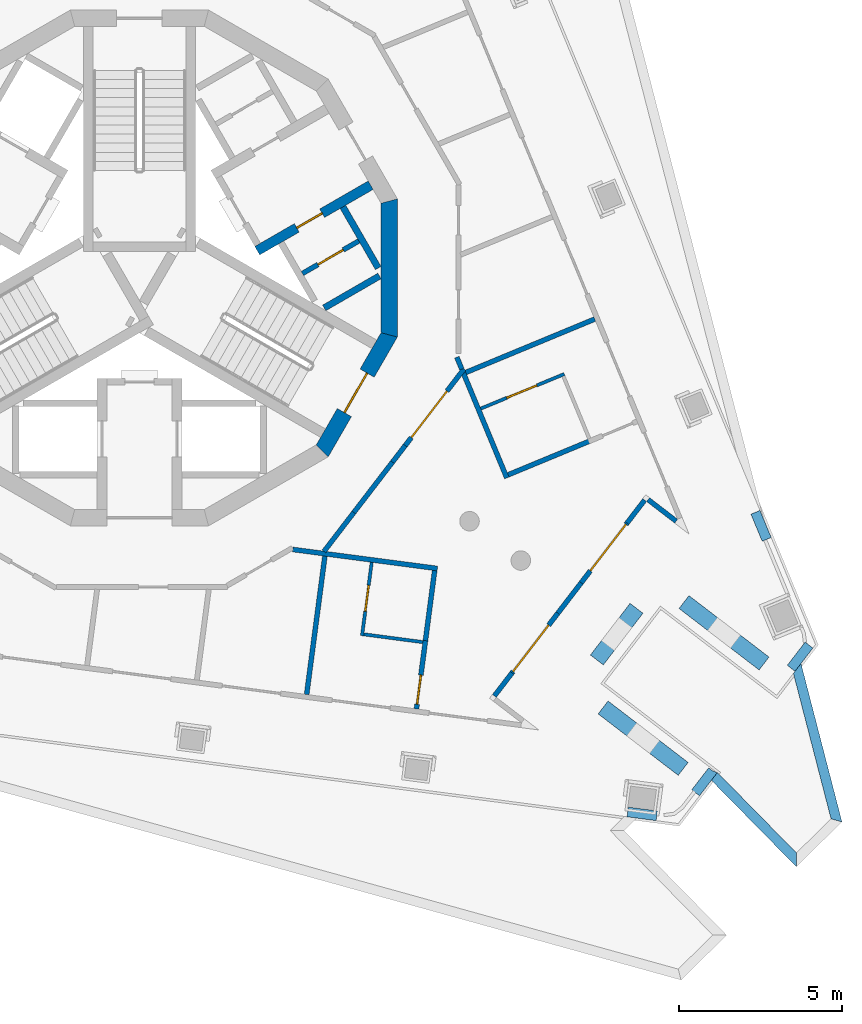
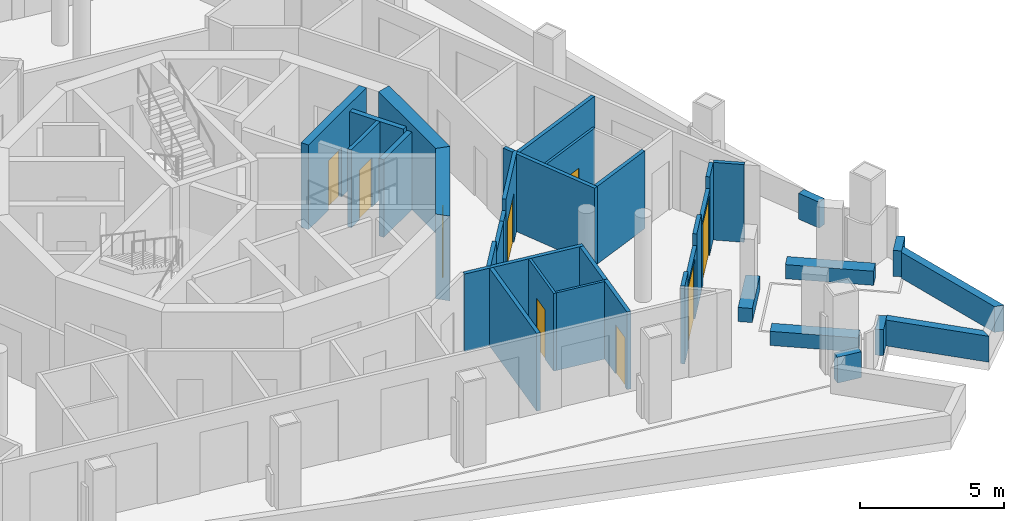
# One storey, part 5 of 12: 36 walls, 9 doors, 9 openings.
"""IFC4 building model written with IfcOpenShell, lengths in metres."""

from ifc_helpers import new_model, si_unit, direction, frame, frame_2d, origin, place, context, subcontext, project, spatial, polyline, rectangle, outline, extrude, material, layer, layer_set, type_object, element, fill, save


model = new_model("IFC4")

# Units and contexts
model_context = context("Model", 3, precision=1e-05, world=origin(), true_north=direction((0.0, 1.0)))
body_context = subcontext(model_context, "Body", "Model", "MODEL_VIEW")
ifc_project = project(units=[si_unit("LENGTHUNIT", "METRE"), si_unit("AREAUNIT", "SQUARE_METRE"), si_unit("VOLUMEUNIT", "CUBIC_METRE"), si_unit("PLANEANGLEUNIT", "RADIAN"), si_unit("MASSUNIT", "GRAM", prefix="KILO")], contexts=[model_context])

# Site, building, storey
site_placement = place(None, origin())
site = spatial("IfcSite", under=ifc_project, at=site_placement, CompositionType="ELEMENT")
building_placement = place(site_placement, origin())
building = spatial("IfcBuilding", under=site, at=building_placement, Name="Trine Commons Tower", CompositionType="ELEMENT")
storey_placement = place(building_placement, frame((0.0, 0.0, 271.800048828125)))
storey = spatial("IfcBuildingStorey", under=building, at=storey_placement, Name="L71", CompositionType="ELEMENT", Elevation=271.800048828125)

# Wall, opening, door
ifc_material_1 = material(Name="Plasterboard partition on steel studs", Category="steel")
ifc_layer_1 = layer(ifc_material_1, 0.14990234375)
ifc_layer_set_1 = layer_set([ifc_layer_1], Name="Plasterboard partition on steel studs")
wall_type_1 = type_object("IfcWallType", Name="Core room partition 150 mm, EI 60", PredefinedType="PARTITIONING", material=ifc_layer_set_1)
wall_1_placement = place(storey_placement, frame((85.006103515625, 62.330078125, 0.0), z_axis=(0.0, 0.0, 1.0), x_axis=(0.866010750942, 0.50002537861, 0.0)))
wall_1 = element("IfcWall", 1, at=wall_1_placement, inside=storey, type_object=wall_type_1, Name="Core room partition L71", PredefinedType="PARTITIONING", context=body_context, shape_type="SweptSolid", body=[
    extrude(rectangle(XDim=2.0, YDim=0.14990234375, at=frame_2d((1.0, 0.0))), origin(), (0.0, 0.0, 1.0), 3.300048828125),
])
opening_1_placement = place(wall_1_placement, frame((0.549560546875, 0.0, 0.0)))
opening_1 = element("IfcOpeningElement", 2, at=opening_1_placement, cuts=wall_1, Name="Opening K19.13", PredefinedType="OPENING", context=body_context, shape_type="SweptSolid", body=[
    extrude(rectangle(XDim=0.89990234375, YDim=2.10009765625, at=frame_2d((0.449951171875, 1.050048828125))), frame((0.0, 0.0849609375, 0.0), z_axis=(0.0, -1.0, 0.0), x_axis=(1.0, 0.0, 0.0)), (0.0, 0.0, 1.0), 0.169921875),
])
ifc_material_2 = material(Name="Steel door leaf, fire-rated", Category="steel")
door_type_1 = type_object("IfcDoorType", Name="Core room door, single leaf 900 x 2100, FD30S", OperationType="SINGLE_SWING_LEFT", PredefinedType="DOOR", material=ifc_material_2)
door_1_placement = place(opening_1_placement, frame((0.89990234375, 0.0, 0.0), z_axis=(0.0, 0.0, 1.0), x_axis=(-1.0, 0.0, 0.0)))
door_1 = element("IfcDoor", 3, at=door_1_placement, inside=storey, type_object=door_type_1, Name="Door to Print room L71", OperationType="SINGLE_SWING_LEFT", OverallHeight=2.10009765625, OverallWidth=0.89990234375, PredefinedType="DOOR", context=body_context, shape_type="SweptSolid", body=[
    extrude(rectangle(XDim=0.89990234375, YDim=2.10009765625, at=frame_2d((0.449951171875, 1.050048828125))), frame((0.0, 0.02490234375, 0.0), z_axis=(0.0, -1.0, 0.0), x_axis=(1.0, 0.0, 0.0)), (0.0, 0.0, 1.0), 0.050048828125),
])
fill(opening_1, door_1)

# Walls
ifc_material_3 = material(Name="Aluminium-framed insulated wall panel", Category="aluminium")
ifc_layer_2 = layer(ifc_material_3, 0.14990234375)
ifc_layer_set_2 = layer_set([ifc_layer_2], Name="Aluminium-framed insulated wall panel")
wall_type_2 = type_object("IfcWallType", Name="Glazed frame wall 150, EI 60", PredefinedType="SOLIDWALL", material=ifc_layer_set_2)
wall_2_placement = place(storey_placement, frame((96.600830078125, 54.633544921875, 0.0), z_axis=(0.0, 0.0, 1.0), x_axis=(-0.793352136239, 0.608762998157, 0.0)))
element("IfcWall", 4, at=wall_2_placement, inside=storey, type_object=wall_type_2, Name="Glazed frame wall R6", PredefinedType="SOLIDWALL", context=body_context, shape_type="SweptSolid", body=[
    extrude(outline(polyline([(0.1494140625, 0.074951171875), (0.1494140625, -0.074951171875), (1.235107421875, -0.074951171875), (1.235107421875, 0.074951171875), (0.1494140625, 0.074951171875)])), origin(), (0.0, 0.0, 1.0), 3.300048828125),
])
wall_3_placement = place(storey_placement, frame((95.582763671875, 55.458740234375, 0.0), z_axis=(0.0, 0.0, 1.0), x_axis=(-0.60863653794, -0.793449156962, 0.0)))
element("IfcWall", 5, at=wall_3_placement, inside=storey, type_object=wall_type_2, Name="Glazed frame wall P2.1", PredefinedType="SOLIDWALL", context=body_context, shape_type="SweptSolid", body=[
    extrude(outline(polyline([(0.110107421875, -0.074951171875), (1.0, -0.074951171875), (1.0, 0.074951171875), (0.110107421875, 0.074951171875), (0.110107421875, -0.074951171875)])), origin(), (0.0, 0.0, 1.0), 3.300048828125),
])

# Wall, opening, door
wall_4_placement = place(storey_placement, frame((94.97412109375, 54.665283203125, 0.0), z_axis=(0.0, 0.0, 1.0), x_axis=(-0.608821878019, -0.793306952475, 0.0)))
wall_4 = element("IfcWall", 6, at=wall_4_placement, inside=storey, type_object=wall_type_2, Name="Glazed frame wall P2.2", PredefinedType="SOLIDWALL", context=body_context, shape_type="SweptSolid", body=[
    extrude(outline(polyline([(0.0, -0.074951171875), (2.310791015625, -0.074951171875), (2.310791015625, 0.074951171875), (0.0, 0.074951171875), (0.0, -0.074951171875)])), origin(), (0.0, 0.0, 1.0), 2.800048828125),
])
opening_2_placement = place(wall_4_placement, frame((0.050048828125, 0.0, 0.0)))
opening_2 = element("IfcOpeningElement", 7, at=opening_2_placement, cuts=wall_4, Name="Opening BD-8P2-01", PredefinedType="OPENING", context=body_context, shape_type="SweptSolid", body=[
    extrude(rectangle(XDim=1.800048828125, YDim=2.60009765625, at=frame_2d((0.89990234375, 1.300048828125))), frame((0.0, 0.0849609375, 0.0), z_axis=(0.0, -1.0, 0.0), x_axis=(1.0, 0.0, 0.0)), (0.0, 0.0, 1.0), 0.169921875),
])
ifc_material_4 = material(Name="Anodised aluminium frame with double glazing", Category="aluminium")
door_type_2 = type_object("IfcDoorType", Name="Sliding loggia door 1800x2600", OperationType="SLIDING_TO_LEFT", PredefinedType="DOOR", material=ifc_material_4)
door_2_placement = place(opening_2_placement, origin())
door_2 = element("IfcDoor", 8, at=door_2_placement, inside=storey, type_object=door_type_2, Name="Loggia door P2 1", OperationType="SLIDING_TO_LEFT", OverallHeight=2.60009765625, OverallWidth=1.800048828125, PredefinedType="DOOR", context=body_context, shape_type="SweptSolid", body=[
    extrude(rectangle(XDim=1.800048828125, YDim=2.60009765625, at=frame_2d((0.89990234375, 1.300048828125))), frame((0.0, 0.02490234375, 0.0), z_axis=(0.0, -1.0, 0.0), x_axis=(1.0, 0.0, 0.0)), (0.0, 0.0, 1.0), 0.050048828125),
])
fill(opening_2, door_2)

# Wall
wall_5_placement = place(storey_placement, frame((93.5673828125, 52.832275390625, 0.0), z_axis=(0.0, 0.0, 1.0), x_axis=(-0.608779373124, -0.793339570965, 0.0)))
element("IfcWall", 9, at=wall_5_placement, inside=storey, type_object=wall_type_2, Name="Glazed frame wall P2.3", PredefinedType="SOLIDWALL", context=body_context, shape_type="SweptSolid", body=[
    extrude(outline(polyline([(0.0, -0.074951171875), (1.1787109375, -0.074951171875), (1.1787109375, 0.074951171875), (0.0, 0.074951171875), (0.0, -0.074951171875)])), origin(), (0.0, 0.0, 1.0), 3.300048828125),
])

# Wall, opening, door
wall_6_placement = place(storey_placement, frame((92.849853515625, 51.897216796875, 0.0), z_axis=(0.0, 0.0, 1.0), x_axis=(-0.608770848341, -0.793346112494, 0.0)))
wall_6 = element("IfcWall", 10, at=wall_6_placement, inside=storey, type_object=wall_type_2, Name="Glazed frame wall P2.4", PredefinedType="SOLIDWALL", context=body_context, shape_type="SweptSolid", body=[
    extrude(outline(polyline([(0.0, -0.074951171875), (2.310791015625, -0.074951171875), (2.310791015625, 0.074951171875), (0.0, 0.074951171875), (0.0, -0.074951171875)])), origin(), (0.0, 0.0, 1.0), 2.800048828125),
])
opening_3_placement = place(wall_6_placement, frame((0.460693359375, 0.0, 0.0)))
opening_3 = element("IfcOpeningElement", 11, at=opening_3_placement, cuts=wall_6, Name="Opening BD-8P2-02", PredefinedType="OPENING", context=body_context, shape_type="SweptSolid", body=[
    extrude(rectangle(XDim=1.800048828125, YDim=2.60009765625, at=frame_2d((0.89990234375, 1.300048828125))), frame((0.0, 0.0849609375, 0.0), z_axis=(0.0, -1.0, 0.0), x_axis=(1.0, 0.0, 0.0)), (0.0, 0.0, 1.0), 0.169921875),
])
door_3_placement = place(opening_3_placement, origin())
door_3 = element("IfcDoor", 12, at=door_3_placement, inside=storey, type_object=door_type_2, Name="Loggia door P2 2", OperationType="SLIDING_TO_LEFT", OverallHeight=2.60009765625, OverallWidth=1.800048828125, PredefinedType="DOOR", context=body_context, shape_type="SweptSolid", body=[
    extrude(rectangle(XDim=1.800048828125, YDim=2.60009765625, at=frame_2d((0.89990234375, 1.300048828125))), frame((0.0, 0.02490234375, 0.0), z_axis=(0.0, -1.0, 0.0), x_axis=(1.0, 0.0, 0.0)), (0.0, 0.0, 1.0), 0.050048828125),
])
fill(opening_3, door_3)

# Walls
wall_7_placement = place(storey_placement, frame((91.443115234375, 50.06396484375, 0.0), z_axis=(0.0, 0.0, 1.0), x_axis=(-0.60863653794, -0.793449156962, 0.0)))
element("IfcWall", 13, at=wall_7_placement, inside=storey, type_object=wall_type_2, Name="Glazed frame wall P2.5", PredefinedType="SOLIDWALL", context=body_context, shape_type="SweptSolid", body=[
    extrude(outline(polyline([(0.889892578125, 0.074951171875), (0.0, 0.074951171875), (0.0, -0.074951171875), (0.889892578125, -0.074951171875), (0.889892578125, 0.074951171875)])), origin(), (0.0, 0.0, 1.0), 3.300048828125),
])
ifc_material_5 = material(Name="Planter trough, precast concrete C40/50", Category="concrete")
ifc_layer_3 = layer(ifc_material_5, 0.5)
ifc_layer_set_3 = layer_set([ifc_layer_3], Name="Planter trough, precast concrete C40/50")
wall_type_3 = type_object("IfcWallType", Name="Planter trough 500x600", PredefinedType="PARAPET", material=ifc_layer_set_3)
wall_8_placement = place(storey_placement, frame((99.182861328125, 50.351806640625, 0.0), z_axis=(0.0, 0.0, 1.0), x_axis=(-0.793355321014, 0.608758847671, 0.0)))
element("IfcWall", 14, at=wall_8_placement, inside=storey, type_object=wall_type_3, Name="Planter 7", PredefinedType="PARAPET", context=body_context, shape_type="SweptSolid", body=[
    extrude(rectangle(XDim=3.10009765625, YDim=0.5, at=frame_2d((1.550048828125, 0.0))), origin(), (0.0, 0.0, 1.0), 0.599853515625),
])
wall_9_placement = place(storey_placement, frame((95.265380859375, 52.047119140625, 0.0), z_axis=(0.0, 0.0, 1.0), x_axis=(-0.608790203715, -0.793331259853, 0.0)))
element("IfcWall", 15, at=wall_9_placement, inside=storey, type_object=wall_type_3, Name="Planter 8", PredefinedType="PARAPET", context=body_context, shape_type="SweptSolid", body=[
    extrude(rectangle(XDim=2.000244140625, YDim=0.5, at=frame_2d((1.0, 0.0))), origin(), (0.0, 0.0, 1.0), 0.599853515625),
])
wall_10_placement = place(storey_placement, frame((94.23974609375, 49.002197265625, 0.0), z_axis=(0.0, 0.0, 1.0), x_axis=(0.793355321014, -0.608758847671, 0.0)))
element("IfcWall", 16, at=wall_10_placement, inside=storey, type_object=wall_type_3, Name="Planter 9", PredefinedType="PARAPET", context=body_context, shape_type="SweptSolid", body=[
    extrude(rectangle(XDim=3.10009765625, YDim=0.5, at=frame_2d((1.550048828125, 0.0))), origin(), (0.0, 0.0, 1.0), 0.599853515625),
])

# Wall, opening, door
ifc_material_6 = material(Name="Concrete C50/60", Category="concrete")
ifc_layer_4 = layer(ifc_material_6, 0.300048828125)
ifc_layer_set_4 = layer_set([ifc_layer_4], Name="Concrete C50/60")
wall_type_4 = type_object("IfcWallType", Name="RC shear wall 300 mm, C50/60", PredefinedType="SHEAR", material=ifc_layer_set_4)
wall_11_placement = place(storey_placement, frame((83.618896484375, 63.031005859375, 0.0), z_axis=(0.0, 0.0, 1.0), x_axis=(0.866071331441, 0.499920442526, 0.0)))
wall_11 = element("IfcWall", 17, at=wall_11_placement, inside=storey, type_object=wall_type_4, Name="Core cross wall SWD-06 L71", PredefinedType="SHEAR", context=body_context, shape_type="SweptSolid", body=[
    extrude(rectangle(XDim=4.020751953125, YDim=0.300048828125, at=frame_2d((2.01025390625, 0.0))), origin(), (0.0, 0.0, 1.0), 3.599853515625),
])
opening_4_placement = place(wall_11_placement, frame((1.400390625, 0.0, 0.0)))
opening_4 = element("IfcOpeningElement", 18, at=opening_4_placement, cuts=wall_11, Name="Opening K19.12", PredefinedType="OPENING", context=body_context, shape_type="SweptSolid", body=[
    extrude(rectangle(XDim=0.89990234375, YDim=2.10009765625, at=frame_2d((0.449951171875, 1.050048828125))), frame((0.0, 0.159912109375, 0.0), z_axis=(0.0, -1.0, 0.0), x_axis=(1.0, 0.0, 0.0)), (0.0, 0.0, 1.0), 0.320068359375),
])
door_4_placement = place(opening_4_placement, frame((0.89990234375, 0.0, 0.0), z_axis=(0.0, 0.0, 1.0), x_axis=(-1.0, 0.0, 0.0)))
door_4 = element("IfcDoor", 19, at=door_4_placement, inside=storey, type_object=door_type_1, Name="Door to Cleaner's store L71", OperationType="SINGLE_SWING_LEFT", OverallHeight=2.10009765625, OverallWidth=0.89990234375, PredefinedType="DOOR", context=body_context, shape_type="SweptSolid", body=[
    extrude(rectangle(XDim=0.89990234375, YDim=2.10009765625, at=frame_2d((0.449951171875, 1.050048828125))), frame((0.0, 0.02490234375, 0.0), z_axis=(0.0, -1.0, 0.0), x_axis=(1.0, 0.0, 0.0)), (0.0, 0.0, 1.0), 0.050048828125),
])
fill(opening_4, door_4)

# Wall
ifc_layer_5 = layer(ifc_material_6, 0.5)
ifc_layer_set_5 = layer_set([ifc_layer_5], Name="Concrete C50/60")
wall_type_5 = type_object("IfcWallType", Name="RC shear wall 500 mm, C50/60", PredefinedType="SHEAR", material=ifc_layer_set_5)
wall_12_placement = place(storey_placement, frame((87.670654296875, 60.377685546875, 0.0), z_axis=(0.0, 0.0, 1.0), x_axis=(0.0, 1.0, 0.0)))
element("IfcWall", 20, at=wall_12_placement, inside=storey, type_object=wall_type_5, Name="Core wall CWH-01 L71", PredefinedType="SHEAR", context=body_context, shape_type="SweptSolid", body=[
    extrude(outline(polyline([(0.0, -0.25), (4.24462890625, -0.25), (4.110595703125, 0.25), (0.134033203125, 0.25), (0.0, -0.25)])), origin(), (0.0, 0.0, 1.0), 3.599853515625),
])

# Wall, opening, door
wall_13_placement = place(storey_placement, frame((85.581787109375, 56.82666015625, 0.0), z_axis=(0.0, 0.0, 1.0), x_axis=(0.499992968425, 0.866029463428, 0.0)))
wall_13 = element("IfcWall", 21, at=wall_13_placement, inside=storey, type_object=wall_type_5, Name="Core wall CWH-12 L71", PredefinedType="SHEAR", context=body_context, shape_type="SweptSolid", body=[
    extrude(outline(polyline([(0.0, -0.25), (4.24462890625, -0.25), (4.110595703125, 0.25), (0.134033203125, 0.25), (0.0, -0.25)])), origin(), (0.0, 0.0, 1.0), 3.599853515625),
])
opening_5_placement = place(wall_13_placement, frame((1.42236328125, 0.0, 0.0)))
opening_5 = element("IfcOpeningElement", 22, at=opening_5_placement, cuts=wall_13, Name="Opening K19.03", PredefinedType="OPENING", context=body_context, shape_type="SweptSolid", body=[
    extrude(rectangle(XDim=1.39990234375, YDim=2.10009765625, at=frame_2d((0.699951171875, 1.050048828125))), frame((0.0, 0.260009765625, 0.0), z_axis=(0.0, -1.0, 0.0), x_axis=(1.0, 0.0, 0.0)), (0.0, 0.0, 1.0), 0.52001953125),
])
ifc_material_7 = material(Name="Steel door leaves, fire-rated", Category="steel")
door_type_3 = type_object("IfcDoorType", Name="Stair door, double leaf 1400 x 2100, FD90", OperationType="DOUBLE_DOOR_SINGLE_SWING", PredefinedType="DOOR", material=ifc_material_7)
door_5_placement = place(opening_5_placement, origin())
door_5 = element("IfcDoor", 23, at=door_5_placement, inside=storey, type_object=door_type_3, Name="Stair door to Exit stair ST3D L71", OperationType="DOUBLE_DOOR_SINGLE_SWING", OverallHeight=2.10009765625, OverallWidth=1.39990234375, PredefinedType="DOOR", context=body_context, shape_type="SweptSolid", body=[
    extrude(rectangle(XDim=1.39990234375, YDim=2.10009765625, at=frame_2d((0.699951171875, 1.050048828125))), frame((0.0, 0.02490234375, 0.0), z_axis=(0.0, -1.0, 0.0), x_axis=(1.0, 0.0, 0.0)), (0.0, 0.0, 1.0), 0.050048828125),
])
fill(opening_5, door_5)

# Walls
ifc_material_8 = material(Name="Fire-rated gypsum shaft wall system")
ifc_layer_6 = layer(ifc_material_8, 0.199951171875)
ifc_layer_set_6 = layer_set([ifc_layer_6], Name="Fire-rated gypsum shaft wall system")
wall_type_6 = type_object("IfcWallType", Name="Shaft wall 200 mm, EI 120", PredefinedType="PARTITIONING", material=ifc_layer_set_6)
wall_14_placement = place(storey_placement, frame((85.675048828125, 61.27294921875, 0.0), z_axis=(0.0, 0.0, 1.0), x_axis=(0.86585547495, 0.500294209939, 0.0)))
element("IfcWall", 24, at=wall_14_placement, inside=storey, type_object=wall_type_6, Name="Shaft wall L71", PredefinedType="PARTITIONING", context=body_context, shape_type="SweptSolid", body=[
    extrude(rectangle(XDim=1.958740234375, YDim=0.199951171875, at=frame_2d((0.9794921875, 0.0))), origin(), (0.0, 0.0, 1.0), 3.300048828125),
])
wall_15_placement = place(storey_placement, frame((86.2490234375, 64.3759765625, 0.0), z_axis=(0.0, 0.0, 1.0), x_axis=(0.499865263774, -0.866103179807, 0.0)))
element("IfcWall", 25, at=wall_15_placement, inside=storey, type_object=wall_type_6, Name="Shaft wall L71", PredefinedType="PARTITIONING", context=body_context, shape_type="SweptSolid", body=[
    extrude(rectangle(XDim=2.17041015625, YDim=0.199951171875, at=frame_2d((1.085205078125, 0.0))), origin(), (0.0, 0.0, 1.0), 3.300048828125),
])
ifc_material_9 = material(Name="Limestone, honed", Category="masonry")
ifc_layer_7 = layer(ifc_material_9, 0.300048828125)
ifc_layer_set_7 = layer_set([ifc_layer_7], Name="Limestone, honed")
wall_type_7 = type_object("IfcWallType", Name="Stone parapet 300", PredefinedType="PARAPET", material=ifc_layer_set_7)
wall_16_placement = place(storey_placement, origin())
element("IfcWall", 26, at=wall_16_placement, inside=storey, type_object=wall_type_7, Name="Sliver roof parapet extension L70 4.X2", PredefinedType="PARAPET", context=body_context, shape_type="SweptSolid", body=[
    extrude(outline(polyline([(95.867919921875, 45.526611328125), (95.906982421875, 45.823974609375), (95.0146484375, 45.94140625), (94.9755859375, 45.64404296875), (95.347412109375, 45.59521484375), (95.867919921875, 45.526611328125)])), origin(), (0.0, 0.0, 1.0), 1.099853515625),
])
wall_17_placement = place(storey_placement, origin())
element("IfcWall", 27, at=wall_17_placement, inside=storey, type_object=wall_type_7, Name="Sliver roof parapet extension L70 5.X1", PredefinedType="PARAPET", context=body_context, shape_type="SweptSolid", body=[
    extrude(outline(polyline([(99.124755859375, 54.10693359375), (99.40185546875, 54.2216796875), (99.0576171875, 55.05322265625), (98.7802734375, 54.9384765625), (99.124755859375, 54.10693359375)])), origin(), (0.0, 0.0, 1.0), 1.099853515625),
])
wall_18_placement = place(storey_placement, origin())
element("IfcWall", 28, at=wall_18_placement, inside=storey, type_object=wall_type_7, Name="Sliver roof parapet L70 6.1", PredefinedType="PARAPET", context=body_context, shape_type="SweptSolid", body=[
    extrude(outline(polyline([(101.57421875, 45.488037109375), (100.316650390625, 50.35107421875), (100.0849609375, 50.049072265625), (101.240478515625, 45.580810546875), (101.57421875, 45.488037109375)])), origin(), (0.0, 0.0, 1.0), 1.099853515625),
])
wall_19_placement = place(storey_placement, origin())
element("IfcWall", 29, at=wall_19_placement, inside=storey, type_object=wall_type_7, Name="Sliver roof parapet L70 6.2", PredefinedType="PARAPET", context=body_context, shape_type="SweptSolid", body=[
    extrude(outline(polyline([(97.5654296875, 46.765380859375), (100.17333984375, 44.111572265625), (100.177001953125, 44.53564453125), (97.749755859375, 47.005859375), (97.741943359375, 46.99560546875), (97.5654296875, 46.765380859375)])), origin(), (0.0, 0.0, 1.0), 1.099853515625),
])
wall_20_placement = place(storey_placement, origin())
element("IfcWall", 30, at=wall_20_placement, inside=storey, type_object=wall_type_7, Name="Sliver roof parapet extension L70 6.X1", PredefinedType="PARAPET", context=body_context, shape_type="SweptSolid", body=[
    extrude(outline(polyline([(100.681884765625, 50.826904296875), (100.44384765625, 51.009765625), (99.89599609375, 50.295654296875), (100.134033203125, 50.113037109375), (100.427001953125, 50.49462890625), (100.681884765625, 50.826904296875)])), origin(), (0.0, 0.0, 1.0), 1.099853515625),
])
wall_21_placement = place(storey_placement, origin())
element("IfcWall", 31, at=wall_21_placement, inside=storey, type_object=wall_type_7, Name="Sliver roof parapet extension L70 6.X2", PredefinedType="PARAPET", context=body_context, shape_type="SweptSolid", body=[
    extrude(outline(polyline([(97.71923828125, 46.9658203125), (97.73388671875, 47.001708984375), (97.60009765625, 47.056884765625), (97.60009765625, 47.05712890625), (97.481201171875, 47.1484375), (96.962158203125, 46.471923828125), (97.2001953125, 46.289306640625), (97.342529296875, 46.47509765625), (97.71923828125, 46.9658203125)])), origin(), (0.0, 0.0, 1.0), 1.099853515625),
])
ifc_material_10 = material(Name="Gypsum plasterboard on steel stud", Category="steel")
ifc_layer_8 = layer(ifc_material_10, 0.14990234375)
ifc_layer_set_8 = layer_set([ifc_layer_8], Name="Gypsum plasterboard on steel stud")
wall_type_8 = type_object("IfcWallType", Name="Unit and corridor wall 150 mm, EI 60", PredefinedType="PARTITIONING", material=ifc_layer_set_8)
wall_22_placement = place(storey_placement, frame((84.70849609375, 53.854248046875, 0.0), z_axis=(0.0, 0.0, 1.0), x_axis=(0.991439822363, -0.130564461602, 0.0)))
element("IfcWall", 32, at=wall_22_placement, inside=storey, type_object=wall_type_8, Name="Partition 033", PredefinedType="PARTITIONING", context=body_context, shape_type="SweptSolid", body=[
    extrude(rectangle(XDim=4.480224609375, YDim=0.14990234375, at=frame_2d((2.240234375, 0.0))), origin(), (0.0, 0.0, 1.0), 3.300048828125),
])
wall_23_placement = place(storey_placement, frame((85.13525390625, 49.400634765625, 0.0), z_axis=(0.0, 0.0, 1.0), x_axis=(0.130708020628, 0.991420906247, 0.0)))
element("IfcWall", 33, at=wall_23_placement, inside=storey, type_object=wall_type_8, Name="Partition 036", PredefinedType="PARTITIONING", context=body_context, shape_type="SweptSolid", body=[
    extrude(rectangle(XDim=4.284912109375, YDim=0.14990234375, at=frame_2d((2.142578125, 0.0))), origin(), (0.0, 0.0, 1.0), 3.300048828125),
])
wall_24_placement = place(storey_placement, frame((85.66650390625, 53.79345703125, 0.0), z_axis=(0.0, 0.0, 1.0), x_axis=(0.608584360589, 0.79348917828, 0.0)))
element("IfcWall", 34, at=wall_24_placement, inside=storey, type_object=wall_type_8, Name="Partition 038", PredefinedType="PARTITIONING", context=body_context, shape_type="SweptSolid", body=[
    extrude(rectangle(XDim=1.50927734375, YDim=0.14990234375, at=frame_2d((0.754638671875, 0.0))), origin(), (0.0, 0.0, 1.0), 3.300048828125),
])
wall_25_placement = place(storey_placement, frame((86.5849609375, 54.990966796875, 0.0), z_axis=(0.0, 0.0, 1.0), x_axis=(0.608644571119, 0.793442994832, 0.0)))
element("IfcWall", 35, at=wall_25_placement, inside=storey, type_object=wall_type_8, Name="Partition 039", PredefinedType="PARTITIONING", context=body_context, shape_type="SweptSolid", body=[
    extrude(rectangle(XDim=1.94873046875, YDim=0.14990234375, at=frame_2d((0.974365234375, 0.0))), origin(), (0.0, 0.0, 1.0), 2.800048828125),
])
wall_26_placement = place(storey_placement, frame((87.77099609375, 56.537109375, 0.0), z_axis=(0.0, 0.0, 1.0), x_axis=(0.60945333551, 0.792821942075, 0.0)))
element("IfcWall", 36, at=wall_26_placement, inside=storey, type_object=wall_type_8, Name="Partition 044", PredefinedType="PARTITIONING", context=body_context, shape_type="SweptSolid", body=[
    extrude(rectangle(XDim=0.641845703125, YDim=0.14990234375, at=frame_2d((0.32080078125, 0.0))), origin(), (0.0, 0.0, 1.0), 2.800048828125),
])

# Wall, opening, door
wall_27_placement = place(storey_placement, frame((88.1630859375, 57.047119140625, 0.0), z_axis=(0.0, 0.0, 1.0), x_axis=(0.608858566232, 0.793278794829, 0.0)))
wall_27 = element("IfcWall", 37, at=wall_27_placement, inside=storey, type_object=wall_type_8, Name="Partition 045", PredefinedType="PARTITIONING", context=body_context, shape_type="SweptSolid", body=[
    extrude(rectangle(XDim=2.964111328125, YDim=0.14990234375, at=frame_2d((1.48193359375, 0.0))), origin(), (0.0, 0.0, 1.0), 3.300048828125),
])
opening_6_placement = place(wall_27_placement, frame((0.307861328125, 0.0, 0.0)))
opening_6 = element("IfcOpeningElement", 38, at=opening_6_placement, cuts=wall_27, Name="Opening D-8A02", PredefinedType="OPENING", context=body_context, shape_type="SweptSolid", body=[
    extrude(rectangle(XDim=1.800048828125, YDim=2.10009765625, at=frame_2d((0.89990234375, 1.050048828125))), frame((0.0, 0.0849609375, 0.0), z_axis=(0.0, -1.0, 0.0), x_axis=(1.0, 0.0, 0.0)), (0.0, 0.0, 1.0), 0.169921875),
])
ifc_material_11 = material(Name="Timber fire door set", Category="wood")
door_type_4 = type_object("IfcDoorType", Name="Cluster entrance door 1800 x 2100, double leaf, FD30S", OperationType="DOUBLE_DOOR_DOUBLE_SWING", PredefinedType="DOOR", material=ifc_material_11)
door_6_placement = place(opening_6_placement, frame((1.800048828125, 0.0, 0.0), z_axis=(0.0, 0.0, 1.0), x_axis=(-1.0, 0.0, 0.0)))
door_6 = element("IfcDoor", 39, at=door_6_placement, inside=storey, type_object=door_type_4, Name="Door D-8A02", OperationType="DOUBLE_DOOR_DOUBLE_SWING", OverallHeight=2.10009765625, OverallWidth=1.800048828125, PredefinedType="DOOR", context=body_context, shape_type="SweptSolid", body=[
    extrude(rectangle(XDim=1.800048828125, YDim=2.10009765625, at=frame_2d((0.89990234375, 1.050048828125))), frame((0.0, 0.02490234375, 0.0), z_axis=(0.0, -1.0, 0.0), x_axis=(1.0, 0.0, 0.0)), (0.0, 0.0, 1.0), 0.050048828125),
])
fill(opening_6, door_6)

wall_28_placement = place(storey_placement, frame((88.507080078125, 48.956787109375, 0.0), z_axis=(0.0, 0.0, 1.0), x_axis=(0.130741320537, 0.991416515449, 0.0)))
wall_28 = element("IfcWall", 40, at=wall_28_placement, inside=storey, type_object=wall_type_8, Name="Partition 046", PredefinedType="PARTITIONING", context=body_context, shape_type="SweptSolid", body=[
    extrude(rectangle(XDim=2.11376953125, YDim=0.14990234375, at=frame_2d((1.056884765625, 0.0))), origin(), (0.0, 0.0, 1.0), 3.300048828125),
])
opening_7_placement = place(wall_28_placement, frame((0.14990234375, 0.0, 0.0)))
opening_7 = element("IfcOpeningElement", 41, at=opening_7_placement, cuts=wall_28, Name="Opening D-8A14", PredefinedType="OPENING", context=body_context, shape_type="SweptSolid", body=[
    extrude(rectangle(XDim=0.89990234375, YDim=2.10009765625, at=frame_2d((0.449951171875, 1.050048828125))), frame((0.0, 0.0849609375, 0.0), z_axis=(0.0, -1.0, 0.0), x_axis=(1.0, 0.0, 0.0)), (0.0, 0.0, 1.0), 0.169921875),
])
door_type_5 = type_object("IfcDoorType", Name="Bedroom door 900 x 2100, FD30S", OperationType="NOTDEFINED", PredefinedType="DOOR", material=ifc_material_11)
door_7_placement = place(opening_7_placement, origin())
door_7 = element("IfcDoor", 42, at=door_7_placement, inside=storey, type_object=door_type_5, Name="Door D-8A14", OperationType="SINGLE_SWING_LEFT", OverallHeight=2.10009765625, OverallWidth=0.89990234375, PredefinedType="DOOR", context=body_context, shape_type="SweptSolid", body=[
    extrude(rectangle(XDim=0.89990234375, YDim=2.10009765625, at=frame_2d((0.449951171875, 1.050048828125))), frame((0.0, 0.02490234375, 0.0), z_axis=(0.0, -1.0, 0.0), x_axis=(1.0, 0.0, 0.0)), (0.0, 0.0, 1.0), 0.050048828125),
])
fill(opening_7, door_7)

# Walls
wall_29_placement = place(storey_placement, frame((88.77587890625, 50.9951171875, 0.0), z_axis=(0.0, 0.0, 1.0), x_axis=(0.130261799361, 0.991479633491, 0.0)))
element("IfcWall", 43, at=wall_29_placement, inside=storey, type_object=wall_type_8, Name="Partition 047", PredefinedType="PARTITIONING", context=body_context, shape_type="SweptSolid", body=[
    extrude(rectangle(XDim=2.228515625, YDim=0.14990234375, at=frame_2d((1.1142578125, 0.0))), origin(), (0.0, 0.0, 1.0), 3.300048828125),
])
wall_30_placement = place(storey_placement, frame((89.747802734375, 59.760498046875, 0.0), z_axis=(0.0, 0.0, 1.0), x_axis=(0.382100188932, -0.924120904221, 0.0)))
element("IfcWall", 44, at=wall_30_placement, inside=storey, type_object=wall_type_8, Name="Partition 049", PredefinedType="PARTITIONING", context=body_context, shape_type="SweptSolid", body=[
    extrude(rectangle(XDim=0.39990234375, YDim=0.14990234375, at=frame_2d((0.199951171875, 0.0))), origin(), (0.0, 0.0, 1.0), 3.300048828125),
])
wall_31_placement = place(storey_placement, frame((89.92529296875, 59.330322265625, 0.0), z_axis=(0.0, 0.0, 1.0), x_axis=(0.382813258481, -0.923825746086, 0.0)))
element("IfcWall", 45, at=wall_31_placement, inside=storey, type_object=wall_type_8, Name="Partition 052", PredefinedType="PARTITIONING", context=body_context, shape_type="SweptSolid", body=[
    extrude(rectangle(XDim=3.551025390625, YDim=0.14990234375, at=frame_2d((1.775390625, 0.0))), origin(), (0.0, 0.0, 1.0), 3.300048828125),
])
wall_32_placement = place(storey_placement, frame((90.023193359375, 59.289794921875, 0.0), z_axis=(0.0, 0.0, 1.0), x_axis=(0.923868914467, 0.382709065586, 0.0)))
element("IfcWall", 46, at=wall_32_placement, inside=storey, type_object=wall_type_8, Name="Partition 053", PredefinedType="PARTITIONING", context=body_context, shape_type="SweptSolid", body=[
    extrude(rectangle(XDim=4.284912109375, YDim=0.14990234375, at=frame_2d((2.142578125, 0.0))), origin(), (0.0, 0.0, 1.0), 3.300048828125),
])
wall_33_placement = place(storey_placement, frame((91.3251953125, 56.147705078125, 0.0), z_axis=(0.0, 0.0, 1.0), x_axis=(0.923924177369, 0.382575632356, 0.0)))
element("IfcWall", 47, at=wall_33_placement, inside=storey, type_object=wall_type_8, Name="Partition 055", PredefinedType="PARTITIONING", context=body_context, shape_type="SweptSolid", body=[
    extrude(rectangle(XDim=2.729248046875, YDim=0.14990234375, at=frame_2d((1.36474609375, 0.0))), origin(), (0.0, 0.0, 1.0), 3.300048828125),
])

# Wall, opening, door
ifc_layer_9 = layer(ifc_material_10, 0.10009765625)
ifc_layer_set_9 = layer_set([ifc_layer_9], Name="Gypsum plasterboard on steel stud")
wall_type_9 = type_object("IfcWallType", Name="Unit partition 100 mm, no rating", PredefinedType="PARTITIONING", material=ifc_layer_set_9)
wall_34_placement = place(storey_placement, frame((86.83642578125, 51.204345703125, 0.0), z_axis=(0.0, 0.0, 1.0), x_axis=(0.130504484341, 0.991447719029, 0.0)))
wall_34 = element("IfcWall", 48, at=wall_34_placement, inside=storey, type_object=wall_type_9, Name="Partition 040", PredefinedType="PARTITIONING", context=body_context, shape_type="SweptSolid", body=[
    extrude(rectangle(XDim=2.27490234375, YDim=0.10009765625, at=frame_2d((1.137451171875, 0.0))), origin(), (0.0, 0.0, 1.0), 3.300048828125),
])
opening_8_placement = place(wall_34_placement, frame((0.76220703125, 0.0, 0.0)))
opening_8 = element("IfcOpeningElement", 49, at=opening_8_placement, cuts=wall_34, Name="Opening D-8A22", PredefinedType="OPENING", context=body_context, shape_type="SweptSolid", body=[
    extrude(rectangle(XDim=0.800048828125, YDim=2.10009765625, at=frame_2d((0.39990234375, 1.050048828125))), frame((0.0, 0.06005859375, 0.0), z_axis=(0.0, -1.0, 0.0), x_axis=(1.0, 0.0, 0.0)), (0.0, 0.0, 1.0), 0.1201171875),
])
ifc_material_12 = material(Name="Painted timber", Category="wood")
door_type_6 = type_object("IfcDoorType", Name="Internal door 800 x 2100, NOT RATED", OperationType="NOTDEFINED", PredefinedType="DOOR", material=ifc_material_12)
door_8_placement = place(opening_8_placement, origin())
door_8 = element("IfcDoor", 50, at=door_8_placement, inside=storey, type_object=door_type_6, Name="Door D-8A22", OperationType="SINGLE_SWING_RIGHT", OverallHeight=2.10009765625, OverallWidth=0.800048828125, PredefinedType="DOOR", context=body_context, shape_type="SweptSolid", body=[
    extrude(rectangle(XDim=0.800048828125, YDim=2.10009765625, at=frame_2d((0.39990234375, 1.050048828125))), frame((0.0, 0.02490234375, 0.0), z_axis=(0.0, -1.0, 0.0), x_axis=(1.0, 0.0, 0.0)), (0.0, 0.0, 1.0), 0.050048828125),
])
fill(opening_8, door_8)

# Wall
wall_35_placement = place(storey_placement, frame((86.892578125, 51.24755859375, 0.0), z_axis=(0.0, 0.0, 1.0), x_axis=(0.991402303004, -0.130849048899, 0.0)))
element("IfcWall", 51, at=wall_35_placement, inside=storey, type_object=wall_type_9, Name="Partition 041", PredefinedType="PARTITIONING", context=body_context, shape_type="SweptSolid", body=[
    extrude(rectangle(XDim=1.82470703125, YDim=0.10009765625, at=frame_2d((0.912353515625, 0.0))), origin(), (0.0, 0.0, 1.0), 3.300048828125),
])

# Wall, opening, door
wall_36_placement = place(storey_placement, frame((90.4833984375, 58.1806640625, 0.0), z_axis=(0.0, 0.0, 1.0), x_axis=(0.923931057252, 0.382559016944, 0.0)))
wall_36 = element("IfcWall", 52, at=wall_36_placement, inside=storey, type_object=wall_type_9, Name="Partition 054", PredefinedType="PARTITIONING", context=body_context, shape_type="SweptSolid", body=[
    extrude(rectangle(XDim=2.77490234375, YDim=0.10009765625, at=frame_2d((1.387451171875, 0.0))), origin(), (0.0, 0.0, 1.0), 3.300048828125),
])
opening_9_placement = place(wall_36_placement, frame((0.8623046875, 0.0, 0.0)))
opening_9 = element("IfcOpeningElement", 53, at=opening_9_placement, cuts=wall_36, Name="Opening D-8A21", PredefinedType="OPENING", context=body_context, shape_type="SweptSolid", body=[
    extrude(rectangle(XDim=1.0, YDim=2.10009765625, at=frame_2d((0.5, 1.050048828125))), frame((0.0, 0.06005859375, 0.0), z_axis=(0.0, -1.0, 0.0), x_axis=(1.0, 0.0, 0.0)), (0.0, 0.0, 1.0), 0.1201171875),
])
door_type_7 = type_object("IfcDoorType", Name="Internal door 1000 x 2100, NOT RATED", OperationType="NOTDEFINED", PredefinedType="DOOR", material=ifc_material_12)
door_9_placement = place(opening_9_placement, origin())
door_9 = element("IfcDoor", 54, at=door_9_placement, inside=storey, type_object=door_type_7, Name="Door D-8A21", OperationType="SINGLE_SWING_LEFT", OverallHeight=2.10009765625, OverallWidth=1.0, PredefinedType="DOOR", context=body_context, shape_type="SweptSolid", body=[
    extrude(rectangle(XDim=1.0, YDim=2.10009765625, at=frame_2d((0.5, 1.050048828125))), frame((0.0, 0.02490234375, 0.0), z_axis=(0.0, -1.0, 0.0), x_axis=(1.0, 0.0, 0.0)), (0.0, 0.0, 1.0), 0.050048828125),
])
fill(opening_9, door_9)

save(model, "model.ifc")
